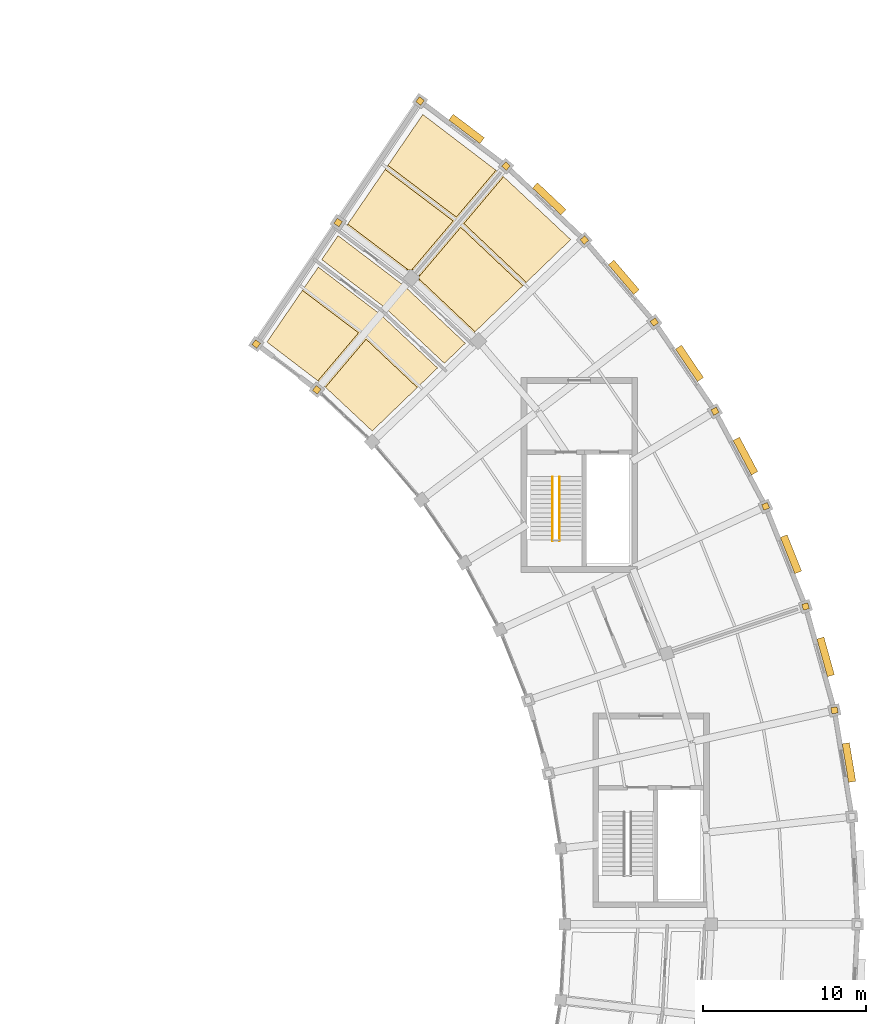
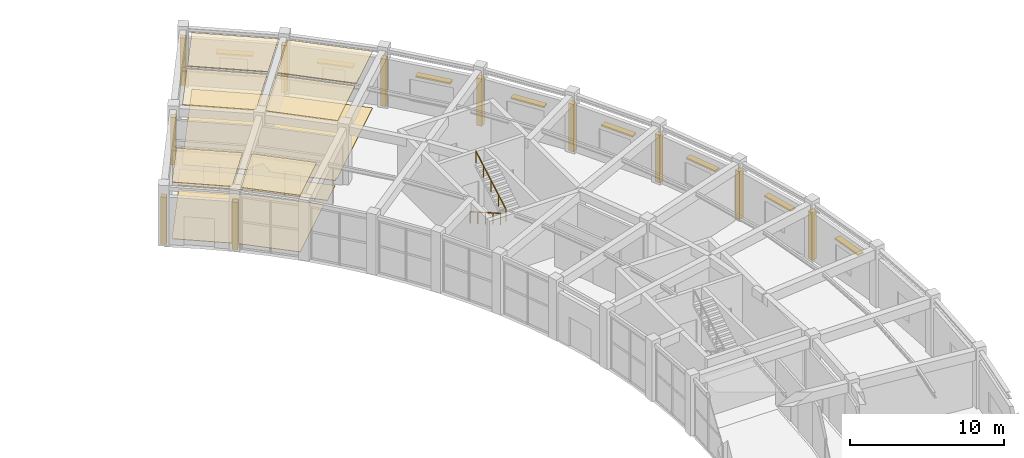
# One storey, part 108 of 108: 20 coverings, 8 shading devices, 2 railings.
"""IFC4 building model written with IfcOpenShell, lengths in metres."""

from ifc_helpers import new_model, si_unit, direction, frame, origin, origin_2d, place, context, subcontext, project, spatial, polyline, rectangle, circle, outline, extrude, material, layer, layer_set, type_object, element, save


model = new_model("IFC4")

# Units and contexts
model_context = context("Model", 3, precision=1e-05, world=origin(), true_north=direction((0.0, 1.0)))
body_context = subcontext(model_context, "Body", "Model", "MODEL_VIEW")
ifc_project = project(units=[si_unit("LENGTHUNIT", "METRE"), si_unit("AREAUNIT", "SQUARE_METRE"), si_unit("VOLUMEUNIT", "CUBIC_METRE"), si_unit("PLANEANGLEUNIT", "RADIAN"), si_unit("MASSUNIT", "GRAM", prefix="KILO")], contexts=[model_context])

# Site, building, storey
site_placement = place(None, origin())
site = spatial("IfcSite", under=ifc_project, at=site_placement, CompositionType="ELEMENT")
building_placement = place(site_placement, origin())
building = spatial("IfcBuilding", under=site, at=building_placement, Name="Tarnveldt Headland Concert Hall", CompositionType="ELEMENT")
storey_placement = place(building_placement, origin())
storey = spatial("IfcBuildingStorey", under=building, at=storey_placement, Name="L00", CompositionType="ELEMENT", Elevation=0.0)

# Coverings
ifc_material_1 = material(Name="Micro-perforated mvule acoustic ceiling panel", Category="timber")
ifc_layer_1 = layer(ifc_material_1, 0.050048828125, Name="Micro-perforated mvule acoustic ceiling panel", Category="timber")
ifc_layer_set_1 = layer_set([ifc_layer_1], Name="Micro-perforated mvule acoustic ceiling panel")
covering_type_1 = type_object("IfcCoveringType", Name="CV-CEIL50", PredefinedType="CEILING", material=ifc_layer_set_1)
covering_1_placement = place(storey_placement, frame((0.0, 0.0, 4.469970703125)))
element("IfcCovering", 1, at=covering_1_placement, inside=storey, type_object=covering_type_1, Name="Acoustic mvule ceiling L00-42-105", PredefinedType="CEILING", context=body_context, shape_type="SweptSolid", body=[
    extrude(outline(polyline([(147.82958984375, 96.334228515625), (145.334716796875, 93.38427734375), (142.208251953125, 95.766845703125), (144.382568359375, 98.942138671875), (147.82958984375, 96.334228515625)])), origin(), (0.0, 0.0, 1.0), 0.050048828125),
])
covering_2_placement = place(storey_placement, frame((0.0, 0.0, 4.469970703125)))
element("IfcCovering", 2, at=covering_2_placement, inside=storey, type_object=covering_type_1, Name="Acoustic mvule ceiling L00-42-106", PredefinedType="CEILING", context=body_context, shape_type="SweptSolid", body=[
    extrude(outline(polyline([(145.80029296875, 92.990234375), (148.295166015625, 95.940185546875), (151.439208984375, 92.97412109375), (148.6689453125, 90.302734375), (145.80029296875, 92.990234375)])), origin(), (0.0, 0.0, 1.0), 0.050048828125),
])
covering_3_placement = place(storey_placement, frame((0.0, 0.0, 4.469970703125)))
element("IfcCovering", 3, at=covering_3_placement, inside=storey, type_object=covering_type_1, Name="Acoustic mvule ceiling L00-45-109", PredefinedType="CEILING", context=body_context, shape_type="SweptSolid", body=[
    extrude(outline(polyline([(153.841796875, 103.443115234375), (149.640625, 106.62158203125), (151.778564453125, 109.743896484375), (156.2734375, 106.318359375), (153.841796875, 103.443115234375)])), origin(), (0.0, 0.0, 1.0), 0.050048828125),
])
covering_4_placement = place(storey_placement, frame((0.0, 0.0, 4.469970703125)))
element("IfcCovering", 4, at=covering_4_placement, inside=storey, type_object=covering_type_1, Name="Acoustic mvule ceiling L00-45-110", PredefinedType="CEILING", context=body_context, shape_type="SweptSolid", body=[
    extrude(outline(polyline([(150.91552734375, 100.179443359375), (147.169921875, 103.01318359375), (149.46533203125, 106.365478515625), (153.641357421875, 103.2060546875), (151.081298828125, 100.179443359375), (150.91552734375, 100.179443359375)])), origin(), (0.0, 0.0, 1.0), 0.050048828125),
])
covering_5_placement = place(storey_placement, frame((0.0, 0.0, 4.469970703125)))
element("IfcCovering", 5, at=covering_5_placement, inside=storey, type_object=covering_type_1, Name="Acoustic mvule ceiling L00-45-111", PredefinedType="CEILING", context=body_context, shape_type="SweptSolid", body=[
    extrude(outline(polyline([(156.7392578125, 105.924560546875), (160.86328125, 102.060546875), (158.139404296875, 99.43408203125), (154.3076171875, 103.04931640625), (156.7392578125, 105.924560546875)])), origin(), (0.0, 0.0, 1.0), 0.050048828125),
])
covering_6_placement = place(storey_placement, frame((0.0, 0.0, 4.469970703125)))
element("IfcCovering", 6, at=covering_6_placement, inside=storey, type_object=covering_type_1, Name="Acoustic mvule ceiling L00-45-112", PredefinedType="CEILING", context=body_context, shape_type="SweptSolid", body=[
    extrude(outline(polyline([(151.55419921875, 99.793701171875), (154.10693359375, 102.812255859375), (157.916015625, 99.21875), (154.9912109375, 96.398681640625), (151.55419921875, 99.64111328125), (151.55419921875, 99.793701171875)])), origin(), (0.0, 0.0, 1.0), 0.050048828125),
])
ifc_material_2 = material(Name="Polished coral-aggregate cementitious terrazzo flooring", Category="concrete")
ifc_layer_2 = layer(ifc_material_2, 0.034912109375, Name="Polished coral-aggregate cementitious terrazzo flooring", Category="concrete")
ifc_layer_set_2 = layer_set([ifc_layer_2], Name="Polished coral-aggregate cementitious terrazzo flooring")
covering_type_2 = type_object("IfcCoveringType", Name="CV-FLOR35", PredefinedType="FLOORING", material=ifc_layer_set_2)
covering_7_placement = place(storey_placement, origin())
element("IfcCovering", 7, at=covering_7_placement, inside=storey, type_object=covering_type_2, Name="Architectural flooring L00-39-29", PredefinedType="FLOORING", context=body_context, shape_type="SweptSolid", body=[
    extrude(outline(polyline([(149.510498046875, 97.835205078125), (149.496337890625, 97.84716796875), (145.572021484375, 100.83251953125), (146.57470703125, 102.302490234375), (150.604248046875, 99.2373046875), (150.604248046875, 99.2294921875), (150.614501953125, 99.2294921875), (150.65283203125, 99.2001953125), (154.38916015625, 95.69384765625), (153.10595703125, 94.460693359375), (149.510498046875, 97.835205078125)])), origin(), (0.0, 0.0, 1.0), 0.034912109375),
])
covering_8_placement = place(storey_placement, origin())
element("IfcCovering", 8, at=covering_8_placement, inside=storey, type_object=covering_type_2, Name="Architectural flooring L00-42-32", PredefinedType="FLOORING", context=body_context, shape_type="SweptSolid", body=[
    extrude(outline(polyline([(145.71728515625, 93.068115234375), (145.71728515625, 93.282470703125), (145.468017578125, 93.282470703125), (142.208251953125, 95.766845703125), (145.360595703125, 100.37060546875), (149.180419921875, 97.45947265625), (152.685546875, 94.175537109375), (148.6689453125, 90.302734375), (145.71728515625, 93.068115234375)])), origin(), (0.0, 0.0, 1.0), 0.034912109375),
])
covering_9_placement = place(storey_placement, origin())
element("IfcCovering", 9, at=covering_9_placement, inside=storey, type_object=covering_type_2, Name="Architectural flooring L00-45-34", PredefinedType="FLOORING", context=body_context, shape_type="SweptSolid", body=[
    extrude(outline(polyline([(151.382080078125, 99.2294921875), (151.55419921875, 99.2294921875), (151.55419921875, 100.179443359375), (150.604248046875, 100.179443359375), (150.604248046875, 99.890869140625), (147.00341796875, 102.635009765625), (147.052978515625, 102.635009765625), (147.052978515625, 102.842529296875), (151.778564453125, 109.743896484375), (156.44091796875, 106.190673828125), (156.44091796875, 106.126220703125), (156.523681640625, 106.126220703125), (160.86328125, 102.060546875), (154.89501953125, 96.305908203125), (154.709716796875, 96.305908203125), (154.709716796875, 96.127197265625), (154.701416015625, 96.119384765625), (151.382080078125, 99.2294921875)])), origin(), (0.0, 0.0, 1.0), 0.034912109375),
])
ifc_material_3 = material(Name="Coral-toned precast concrete C40/50", Category="concrete")
ifc_layer_3 = layer(ifc_material_3, 0.360107421875, Name="Coral-toned precast concrete C40/50", Category="concrete")
ifc_layer_set_3 = layer_set([ifc_layer_3], Name="Coral-toned precast concrete C40/50")
covering_type_3 = type_object("IfcCoveringType", Name="CV-JNT360", PredefinedType="CLADDING", material=ifc_layer_set_3)
for number, where, z_axis, x_axis, name in (
    (10, (141.54541015625, 95.648681640625, 0.0), (0.0, 0.0, 1.0), (-0.797478637023, 0.603347183213, 0.0), "Precast facade joint closure pilaster L00-162"),
    (11, (145.267333984375, 92.83251953125, 0.0), (0.0, 0.0, 1.0), (-0.797478637023, 0.603347183213, 0.0), "Precast facade joint closure pilaster L00-164"),
    (12, (146.577880859375, 103.110107421875, 0.0), (0.0, 0.0, 1.0), (0.559192903471, 0.829037572555, 0.0), "Precast facade joint closure pilaster L00-166"),
    (13, (151.61083984375, 110.5712890625, 0.0), (0.0, 0.0, 1.0), (0.797478637023, -0.603347183213, 0.0), "Precast facade joint closure pilaster L00-169"),
    (14, (156.89111328125, 106.576416015625, 0.0), (0.0, 0.0, 1.0), (0.727413564262, -0.686199319824, 0.0), "Precast facade joint closure pilaster L00-172"),
    (15, (161.70703125, 102.032470703125, 0.0), (0.0, 0.0, 1.0), (0.648651397111, -0.761085648942, 0.0), "Precast facade joint closure pilaster L00-177"),
    (16, (166.00244140625, 96.993408203125, 0.0), (0.0, 0.0, 1.0), (0.562372049186, -0.826884319778, 0.0), "Precast facade joint closure pilaster L00-179"),
    (17, (169.726318359375, 91.518798828125, 0.0), (0.0, 0.0, 1.0), (0.469471562786, -0.882947592859, 0.0), "Precast facade joint closure pilaster L00-181"),
    (18, (172.834716796875, 85.672607421875, 0.0), (0.0, 0.0, 1.0), (0.371043710237, -0.928615402141, 0.0), "Precast facade joint closure pilaster L00-183"),
    (19, (175.291259765625, 79.523681640625, 0.0), (0.0, 0.0, 1.0), (0.268079200424, -0.963396876837, 0.0), "Precast facade joint closure pilaster L00-185"),
    (20, (177.06689453125, 73.14501953125, 0.0), (0.0, 0.0, 1.0), (0.162120515372, -0.986770965572, 0.0), "Precast facade joint closure pilaster L00-187"),
):
    element("IfcCovering", number, at=place(storey_placement, frame(where, z_axis=z_axis, x_axis=x_axis)), inside=storey, type_object=covering_type_3, Name=name, PredefinedType="CLADDING", context=body_context, shape_type="SweptSolid", body=[
        extrude(rectangle(XDim=0.3798828125, YDim=0.3798828125, at=origin_2d()), origin(), (0.0, 0.0, 1.0), 3.758056640625),
    ])

# Railings
ifc_material_4 = material(Name="Marine stainless steel", Category="steel")
ifc_layer_4 = layer(ifc_material_4, 0.048095703125, Name="Marine stainless steel", Category="steel")
ifc_layer_set_4 = layer_set([ifc_layer_4], Name="Marine stainless steel")
railing_type = type_object("IfcRailingType", Name="RL-HND092", PredefinedType="HANDRAIL", material=ifc_layer_set_4)
railing_1_placement = place(storey_placement, frame((159.75, 87.47998046875, 0.159912109375)))
element("IfcRailing", 21, at=railing_1_placement, inside=storey, type_object=railing_type, Name="HANDRAIL STR-C3-L00 flight 1", PredefinedType="HANDRAIL", context=body_context, shape_type="SweptSolid", body=[
    extrude(circle(Radius=0.02392578125, at=origin_2d()), frame((0.0, 0.0, 0.89599609375), z_axis=(0.0, -0.868239814368, 0.496144761885), x_axis=(1.0, 0.0, 0.0)), (0.0, 0.0, 1.0), 4.514892578125),
    extrude(circle(Radius=0.02099609375, at=origin_2d()), origin(), (0.0, 0.0, 1.0), 0.871826171875),
    extrude(circle(Radius=0.02099609375, at=origin_2d()), frame((0.0, -0.97998046875, 0.56005859375)), (0.0, 0.0, 1.0), 0.871826171875),
    extrude(circle(Radius=0.02099609375, at=origin_2d()), frame((0.0, -1.9599609375, 1.1201171875)), (0.0, 0.0, 1.0), 0.871826171875),
    extrude(circle(Radius=0.02099609375, at=origin_2d()), frame((0.0, -2.93994140625, 1.679931640625)), (0.0, 0.0, 1.0), 0.871826171875),
    extrude(circle(Radius=0.02099609375, at=origin_2d()), frame((0.0, -3.919921875, 2.239990234375)), (0.0, 0.0, 1.0), 0.871826171875),
])
railing_2_placement = place(storey_placement, frame((160.169921875, 83.56005859375, 2.56005859375)))
element("IfcRailing", 22, at=railing_2_placement, inside=storey, type_object=railing_type, Name="HANDRAIL STR-C3-L00 flight 2", PredefinedType="HANDRAIL", context=body_context, shape_type="SweptSolid", body=[
    extrude(circle(Radius=0.02392578125, at=origin_2d()), frame((0.0, 0.0, 0.89599609375), z_axis=(0.0, 0.868239814368, 0.496144761885), x_axis=(-1.0, 0.0, 0.0)), (0.0, 0.0, 1.0), 4.514892578125),
    extrude(circle(Radius=0.02099609375, at=origin_2d()), origin(), (0.0, 0.0, 1.0), 0.871826171875),
    extrude(circle(Radius=0.02099609375, at=origin_2d()), frame((0.0, 0.97998046875, 0.56005859375)), (0.0, 0.0, 1.0), 0.871826171875),
    extrude(circle(Radius=0.02099609375, at=origin_2d()), frame((0.0, 1.9599609375, 1.1201171875)), (0.0, 0.0, 1.0), 0.871826171875),
    extrude(circle(Radius=0.02099609375, at=origin_2d()), frame((0.0, 2.93994140625, 1.679931640625)), (0.0, 0.0, 1.0), 0.871826171875),
    extrude(circle(Radius=0.02099609375, at=origin_2d()), frame((0.0, 3.919921875, 2.239990234375)), (0.0, 0.0, 1.0), 0.871826171875),
])

# Shading devices
ifc_material_5 = material(Name="Terracotta-anodised aluminium EN AW-6063-T6", Category="masonry")
shading_device_type = type_object("IfcShadingDeviceType", Name="SD-LVR450", PredefinedType="USERDEFINED", material=ifc_material_5)
for number, where, z_axis, x_axis, name in (
    (23, (177.95654296875, 69.936279296875, 2.56982421875), (0.0, 0.0, 1.0), (0.986770965572, 0.162120515372, 0.0), "Crescent coastal solar louvre L00-11"),
    (24, (176.5234375, 76.430419921875, 2.56982421875), (0.0, 0.0, 1.0), (0.963350073517, 0.268247340815, 0.0), "Crescent coastal solar louvre L00-12"),
    (25, (174.39501953125, 82.730712890625, 2.56982421875), (0.0, 0.0, 1.0), (0.928615402141, 0.371043710237, 0.0), "Crescent coastal solar louvre L00-13"),
    (26, (171.59619140625, 88.763427734375, 2.56982421875), (0.0, 0.0, 1.0), (0.882947592859, 0.469471562786, 0.0), "Crescent coastal solar louvre L00-14"),
    (27, (168.159912109375, 94.457275390625, 2.56982421875), (0.0, 0.0, 1.0), (0.826884319778, 0.562372049186, 0.0), "Crescent coastal solar louvre L00-15"),
    (28, (164.126708984375, 99.744873046875, 2.56982421875), (0.0, 0.0, 1.0), (0.761085648942, 0.648651397111, 0.0), "Crescent coastal solar louvre L00-16"),
    (29, (159.54443359375, 104.564453125, 2.419921875), (0.0, 0.0, 1.0), (0.686199319824, 0.727413564262, 0.0), "Crescent coastal solar louvre L00-17"),
    (30, (154.466552734375, 108.85888671875, 2.419921875), (0.0, 0.0, 1.0), (0.603347183213, 0.797478637023, 0.0), "Crescent coastal solar louvre L00-18"),
):
    element("IfcShadingDevice", number, at=place(storey_placement, frame(where, z_axis=z_axis, x_axis=x_axis)), inside=storey, type_object=shading_device_type, Name=name, ObjectType="LOUVRE", PredefinedType="USERDEFINED", context=body_context, shape_type="SweptSolid", body=[
        extrude(rectangle(XDim=0.449951171875, YDim=2.39990234375, at=origin_2d()), origin(), (0.0, 0.0, 1.0), 0.1201171875),
    ])

save(model, "model.ifc")
